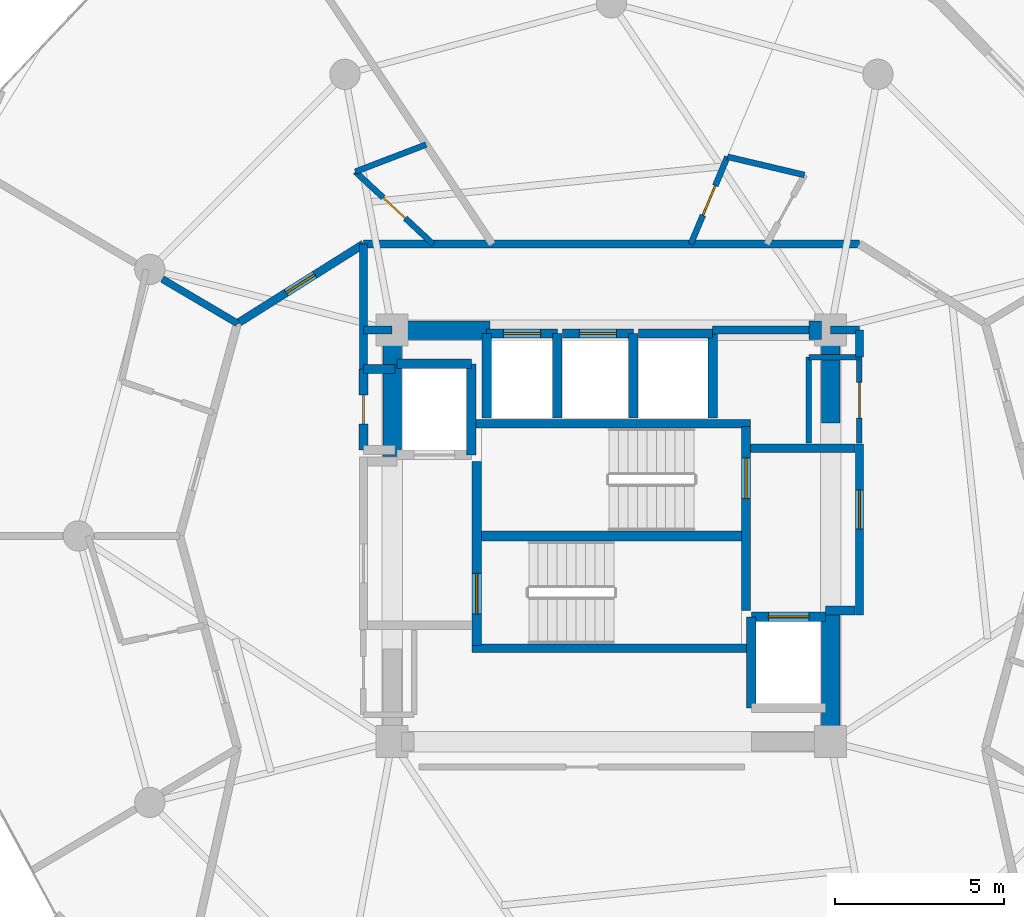
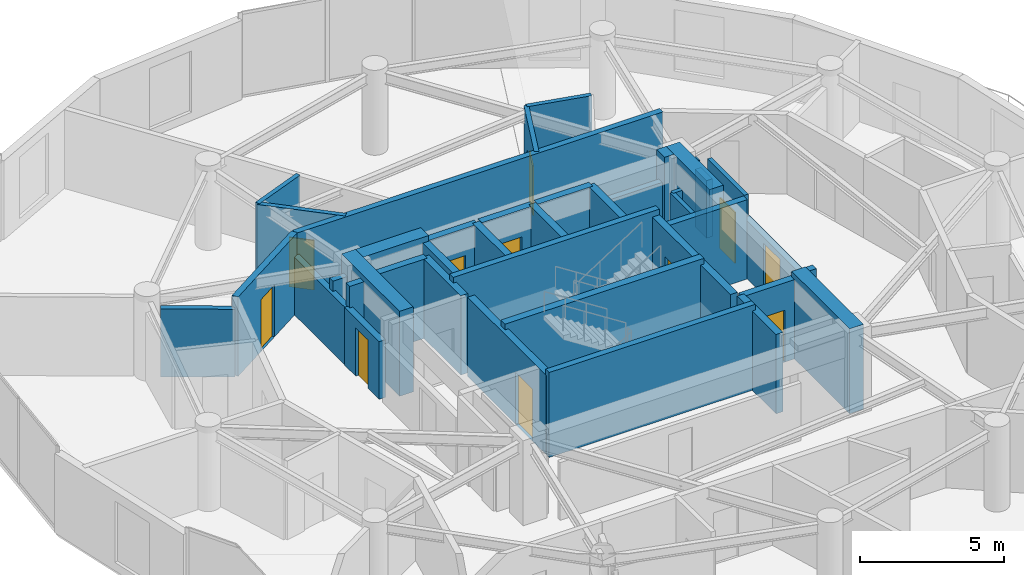
# One storey, part 19 of 23: 41 walls, 11 doors, 11 openings.
"""IFC4 building model written with IfcOpenShell, lengths in metres."""

from ifc_helpers import new_model, si_unit, direction, frame, frame_2d, origin, place, context, subcontext, project, spatial, rectangle, extrude, material, layer, layer_set, type_object, element, fill, save


model = new_model("IFC4")

# Units and contexts
model_context = context("Model", 3, precision=1e-05, world=origin(), true_north=direction((0.0, 1.0)))
body_context = subcontext(model_context, "Body", "Model", "MODEL_VIEW")
ifc_project = project(units=[si_unit("LENGTHUNIT", "METRE"), si_unit("AREAUNIT", "SQUARE_METRE"), si_unit("VOLUMEUNIT", "CUBIC_METRE"), si_unit("PLANEANGLEUNIT", "RADIAN"), si_unit("MASSUNIT", "GRAM", prefix="KILO")], contexts=[model_context])

# Site, building, storey
site_placement = place(None, origin())
site = spatial("IfcSite", under=ifc_project, at=site_placement, CompositionType="ELEMENT")
building_placement = place(site_placement, origin())
building = spatial("IfcBuilding", under=site, at=building_placement, Name="Solvirekh Grand Hotel", CompositionType="ELEMENT")
storey_placement = place(building_placement, frame((0.0, 0.0, 176.800048828125)))
storey = spatial("IfcBuildingStorey", under=building, at=storey_placement, Name="L45", CompositionType="ELEMENT", Elevation=176.800048828125)

# Walls
ifc_material_1 = material(Name="Concrete C50/60", Category="concrete")
ifc_layer_1 = layer(ifc_material_1, 0.35009765625)
ifc_layer_set_1 = layer_set([ifc_layer_1], Name="Concrete C50/60")
wall_type_1 = type_object("IfcWallType", Name="CoreDivWall_RC350", PredefinedType="SOLIDWALL", material=ifc_layer_set_1)
for number, where, z_axis, x_axis, name in (
    (1, (-4.1298828125, -3.324951171875, 0.0), (0.0, 0.0, 1.0), (1.0, 0.0, 0.0), "L45 core stair box wall ST-S"),
    (2, (-4.1298828125, 3.324951171875, 0.0), (0.0, 0.0, 1.0), (1.0, 0.0, 0.0), "L45 core stair box wall ST-N"),
):
    element("IfcWall", number, at=place(storey_placement, frame(where, z_axis=z_axis, x_axis=x_axis)), inside=storey, type_object=wall_type_1, Name=name, PredefinedType="SOLIDWALL", context=body_context, shape_type="SweptSolid", body=[
        extrude(rectangle(XDim=8.259765625, YDim=0.25, at=frame_2d((4.1298828125, 0.0))), origin(), (0.0, 0.0, 1.0), 3.599853515625),
    ])

# Wall, opening, door
ifc_material_2 = material(Name="Concrete C40/50", Category="concrete")
ifc_layer_2 = layer(ifc_material_2, 0.280029296875)
ifc_layer_set_2 = layer_set([ifc_layer_2], Name="Concrete C40/50")
wall_type_2 = type_object("IfcWallType", Name="CoreShaftWall_RC280", PredefinedType="SOLIDWALL", material=ifc_layer_set_2)
wall_1_placement = place(storey_placement, frame((-1.60009765625, 6.0, 0.0), z_axis=(0.0, 0.0, 1.0), x_axis=(-1.0, 0.0, 0.0)))
wall_1 = element("IfcWall", 3, at=wall_1_placement, inside=storey, type_object=wall_type_2, Name="L45 HP-1 hoistway N wall", PredefinedType="SOLIDWALL", context=body_context, shape_type="SweptSolid", body=[
    extrude(rectangle(XDim=2.099853515625, YDim=0.280029296875, at=frame_2d((1.0498046875, 0.0))), origin(), (0.0, 0.0, 1.0), 3.35986328125),
])
opening_1_placement = place(wall_1_placement, frame((0.5, 0.0, 0.0)))
opening_1 = element("IfcOpeningElement", 4, at=opening_1_placement, cuts=wall_1, Name="Opening LD01", PredefinedType="OPENING", context=body_context, shape_type="SweptSolid", body=[
    extrude(rectangle(XDim=1.10009765625, YDim=2.199951171875, at=frame_2d((0.550048828125, 1.10009765625))), frame((0.0, 0.14990234375, 0.0), z_axis=(0.0, -1.0, 0.0), x_axis=(1.0, 0.0, 0.0)), (0.0, 0.0, 1.0), 0.300048828125),
])
ifc_material_3 = material(Name="Fire-Rated Steel Door Assembly", Category="steel")
door_type_1 = type_object("IfcDoorType", Name="Door_LiftLanding_1100X2200", OperationType="SLIDING_TO_LEFT", PredefinedType="DOOR", material=ifc_material_3)
door_1_placement = place(opening_1_placement, origin())
door_1 = element("IfcDoor", 5, at=door_1_placement, inside=storey, type_object=door_type_1, Name="L45 HP-1 sliding lift landing door", OperationType="SLIDING_TO_LEFT", OverallHeight=2.199951171875, OverallWidth=1.10009765625, PredefinedType="DOOR", context=body_context, shape_type="SweptSolid", body=[
    extrude(rectangle(XDim=1.10009765625, YDim=2.199951171875, at=frame_2d((0.550048828125, 1.10009765625))), frame((0.0, 0.02490234375, 0.0), z_axis=(0.0, -1.0, 0.0), x_axis=(1.0, 0.0, 0.0)), (0.0, 0.0, 1.0), 0.050048828125),
])
fill(opening_1, door_1)

# Walls
for number, where, z_axis, x_axis, name in (
    (6, (-3.699951171875, 6.0, 0.0), (0.0, 0.0, 1.0), (0.0, -1.0, 0.0), "L45 HP-1 hoistway W wall"),
    (7, (-1.60009765625, 3.5, 0.0), (0.0, 0.0, 1.0), (0.0, 1.0, 0.0), "L45 HP-1 hoistway E wall"),
):
    element("IfcWall", number, at=place(storey_placement, frame(where, z_axis=z_axis, x_axis=x_axis)), inside=storey, type_object=wall_type_2, Name=name, PredefinedType="SOLIDWALL", context=body_context, shape_type="SweptSolid", body=[
        extrude(rectangle(XDim=2.5, YDim=0.280029296875, at=frame_2d((1.25, 0.0))), origin(), (0.0, 0.0, 1.0), 3.35986328125),
    ])

# Wall, opening, door
wall_2_placement = place(storey_placement, frame((0.64990234375, 6.0, 0.0), z_axis=(0.0, 0.0, 1.0), x_axis=(-1.0, 0.0, 0.0)))
wall_2 = element("IfcWall", 8, at=wall_2_placement, inside=storey, type_object=wall_type_2, Name="L45 HP-2 hoistway N wall", PredefinedType="SOLIDWALL", context=body_context, shape_type="SweptSolid", body=[
    extrude(rectangle(XDim=2.099853515625, YDim=0.280029296875, at=frame_2d((1.0498046875, 0.0))), origin(), (0.0, 0.0, 1.0), 3.35986328125),
])
opening_2_placement = place(wall_2_placement, frame((0.5, 0.0, 0.0)))
opening_2 = element("IfcOpeningElement", 9, at=opening_2_placement, cuts=wall_2, Name="Opening LD01", PredefinedType="OPENING", context=body_context, shape_type="SweptSolid", body=[
    extrude(rectangle(XDim=1.10009765625, YDim=2.199951171875, at=frame_2d((0.550048828125, 1.10009765625))), frame((0.0, 0.14990234375, 0.0), z_axis=(0.0, -1.0, 0.0), x_axis=(1.0, 0.0, 0.0)), (0.0, 0.0, 1.0), 0.300048828125),
])
door_2_placement = place(opening_2_placement, origin())
door_2 = element("IfcDoor", 10, at=door_2_placement, inside=storey, type_object=door_type_1, Name="L45 HP-2 sliding lift landing door", OperationType="SLIDING_TO_LEFT", OverallHeight=2.199951171875, OverallWidth=1.10009765625, PredefinedType="DOOR", context=body_context, shape_type="SweptSolid", body=[
    extrude(rectangle(XDim=1.10009765625, YDim=2.199951171875, at=frame_2d((0.550048828125, 1.10009765625))), frame((0.0, 0.02490234375, 0.0), z_axis=(0.0, -1.0, 0.0), x_axis=(1.0, 0.0, 0.0)), (0.0, 0.0, 1.0), 0.050048828125),
])
fill(opening_2, door_2)

# Walls
wall_3_placement = place(storey_placement, frame((0.64990234375, 3.5, 0.0), z_axis=(0.0, 0.0, 1.0), x_axis=(0.0, 1.0, 0.0)))
element("IfcWall", 11, at=wall_3_placement, inside=storey, type_object=wall_type_2, Name="L45 HP-2 hoistway E wall", PredefinedType="SOLIDWALL", context=body_context, shape_type="SweptSolid", body=[
    extrude(rectangle(XDim=2.5, YDim=0.280029296875, at=frame_2d((1.25, 0.0))), origin(), (0.0, 0.0, 1.0), 3.35986328125),
])
wall_4_placement = place(storey_placement, frame((3.0, 6.0, 0.0), z_axis=(0.0, 0.0, 1.0), x_axis=(-1.0, 0.0, 0.0)))
element("IfcWall", 12, at=wall_4_placement, inside=storey, type_object=wall_type_2, Name="L45 EX-1 hoistway N wall", PredefinedType="SOLIDWALL", context=body_context, shape_type="SweptSolid", body=[
    extrude(rectangle(XDim=2.199951171875, YDim=0.280029296875, at=frame_2d((1.10009765625, 0.0))), origin(), (0.0, 0.0, 1.0), 3.35986328125),
])
wall_5_placement = place(storey_placement, frame((3.0, 3.5, 0.0), z_axis=(0.0, 0.0, 1.0), x_axis=(0.0, 1.0, 0.0)))
element("IfcWall", 13, at=wall_5_placement, inside=storey, type_object=wall_type_2, Name="L45 EX-1 hoistway E wall", PredefinedType="SOLIDWALL", context=body_context, shape_type="SweptSolid", body=[
    extrude(rectangle(XDim=2.5, YDim=0.280029296875, at=frame_2d((1.25, 0.0))), origin(), (0.0, 0.0, 1.0), 3.35986328125),
])
wall_6_placement = place(storey_placement, frame((-4.14990234375, 5.10009765625, 0.0), z_axis=(0.0, 0.0, 1.0), x_axis=(-1.0, 0.0, 0.0)))
element("IfcWall", 14, at=wall_6_placement, inside=storey, type_object=wall_type_2, Name="L45 FL-1 hoistway N wall", PredefinedType="SOLIDWALL", context=body_context, shape_type="SweptSolid", body=[
    extrude(rectangle(XDim=2.2001953125, YDim=0.280029296875, at=frame_2d((1.10009765625, 0.0))), origin(), (0.0, 0.0, 1.0), 3.35986328125),
])
wall_7_placement = place(storey_placement, frame((-4.14990234375, 2.39990234375, 0.0), z_axis=(0.0, 0.0, 1.0), x_axis=(0.0, 1.0, 0.0)))
element("IfcWall", 15, at=wall_7_placement, inside=storey, type_object=wall_type_2, Name="L45 FL-1 hoistway E wall", PredefinedType="SOLIDWALL", context=body_context, shape_type="SweptSolid", body=[
    extrude(rectangle(XDim=2.7001953125, YDim=0.280029296875, at=frame_2d((1.35009765625, 0.0))), origin(), (0.0, 0.0, 1.0), 3.35986328125),
])

# Wall, opening, door
wall_8_placement = place(storey_placement, frame((6.35009765625, -2.39990234375, 0.0), z_axis=(0.0, 0.0, 1.0), x_axis=(-1.0, 0.0, 0.0)))
wall_8 = element("IfcWall", 16, at=wall_8_placement, inside=storey, type_object=wall_type_2, Name="L45 FL-2 hoistway N wall", PredefinedType="SOLIDWALL", context=body_context, shape_type="SweptSolid", body=[
    extrude(rectangle(XDim=2.2001953125, YDim=0.280029296875, at=frame_2d((1.10009765625, 0.0))), origin(), (0.0, 0.0, 1.0), 3.35986328125),
])
opening_3_placement = place(wall_8_placement, frame((0.5, 0.0, 0.0)))
opening_3 = element("IfcOpeningElement", 17, at=opening_3_placement, cuts=wall_8, Name="Opening LD02", PredefinedType="OPENING", context=body_context, shape_type="SweptSolid", body=[
    extrude(rectangle(XDim=1.199951171875, YDim=2.199951171875, at=frame_2d((0.60009765625, 1.10009765625))), frame((0.0, 0.14990234375, 0.0), z_axis=(0.0, -1.0, 0.0), x_axis=(1.0, 0.0, 0.0)), (0.0, 0.0, 1.0), 0.300048828125),
])
door_type_2 = type_object("IfcDoorType", Name="Door_LiftFF_1200X2200", OperationType="SLIDING_TO_LEFT", PredefinedType="DOOR", material=ifc_material_3)
door_3_placement = place(opening_3_placement, origin())
door_3 = element("IfcDoor", 18, at=door_3_placement, inside=storey, type_object=door_type_2, Name="L45 FL-2 sliding lift landing door", OperationType="SLIDING_TO_LEFT", OverallHeight=2.199951171875, OverallWidth=1.199951171875, PredefinedType="DOOR", context=body_context, shape_type="SweptSolid", body=[
    extrude(rectangle(XDim=1.199951171875, YDim=2.199951171875, at=frame_2d((0.60009765625, 1.10009765625))), frame((0.0, 0.02490234375, 0.0), z_axis=(0.0, -1.0, 0.0), x_axis=(1.0, 0.0, 0.0)), (0.0, 0.0, 1.0), 0.050048828125),
])
fill(opening_3, door_3)

# Wall
wall_9_placement = place(storey_placement, frame((4.14990234375, -2.39990234375, 0.0), z_axis=(0.0, 0.0, 1.0), x_axis=(0.0, -1.0, 0.0)))
element("IfcWall", 19, at=wall_9_placement, inside=storey, type_object=wall_type_2, Name="L45 FL-2 hoistway W wall", PredefinedType="SOLIDWALL", context=body_context, shape_type="SweptSolid", body=[
    extrude(rectangle(XDim=2.7001953125, YDim=0.280029296875, at=frame_2d((1.35009765625, 0.0))), origin(), (0.0, 0.0, 1.0), 3.35986328125),
])

# Wall, opening, door
wall_10_placement = place(storey_placement, frame((-3.989990234375, -3.25, 0.0), z_axis=(0.0, 0.0, 1.0), x_axis=(0.0, 1.0, 0.0)))
wall_10 = element("IfcWall", 20, at=wall_10_placement, inside=storey, type_object=wall_type_2, Name="L45 west stair landing enclosure wall", PredefinedType="SOLIDWALL", context=body_context, shape_type="SweptSolid", body=[
    extrude(rectangle(XDim=5.4599609375, YDim=0.280029296875, at=frame_2d((2.72998046875, 0.0))), origin(), (0.0, 0.0, 1.0), 3.35986328125),
])
opening_4_placement = place(wall_10_placement, frame((0.93701171875, 0.0, 0.0)))
opening_4 = element("IfcOpeningElement", 21, at=opening_4_placement, cuts=wall_10, Name="Opening D05", PredefinedType="OPENING", context=body_context, shape_type="SweptSolid", body=[
    extrude(rectangle(XDim=1.199951171875, YDim=2.199951171875, at=frame_2d((0.60009765625, 1.10009765625))), frame((0.0, 0.14990234375, 0.0), z_axis=(0.0, -1.0, 0.0), x_axis=(1.0, 0.0, 0.0)), (0.0, 0.0, 1.0), 0.300048828125),
])
door_type_3 = type_object("IfcDoorType", Name="Door_StairCore_1200X2200", OperationType="NOTDEFINED", PredefinedType="DOOR", material=ifc_material_3)
door_4_placement = place(opening_4_placement, origin())
door_4 = element("IfcDoor", 22, at=door_4_placement, inside=storey, type_object=door_type_3, Name="L45 exit stair ST-1 fire door", OperationType="SINGLE_SWING_RIGHT", OverallHeight=2.199951171875, OverallWidth=1.199951171875, PredefinedType="DOOR", context=body_context, shape_type="SweptSolid", body=[
    extrude(rectangle(XDim=1.199951171875, YDim=2.199951171875, at=frame_2d((0.60009765625, 1.10009765625))), frame((0.0, 0.02490234375, 0.0), z_axis=(0.0, -1.0, 0.0), x_axis=(1.0, 0.0, 0.0)), (0.0, 0.0, 1.0), 0.050048828125),
])
fill(opening_4, door_4)

wall_11_placement = place(storey_placement, frame((3.989990234375, -2.2099609375, 0.0), z_axis=(0.0, 0.0, 1.0), x_axis=(0.0, 1.0, 0.0)))
wall_11 = element("IfcWall", 23, at=wall_11_placement, inside=storey, type_object=wall_type_2, Name="L45 east stair landing enclosure wall", PredefinedType="SOLIDWALL", context=body_context, shape_type="SweptSolid", body=[
    extrude(rectangle(XDim=5.4599609375, YDim=0.280029296875, at=frame_2d((2.72998046875, 0.0))), origin(), (0.0, 0.0, 1.0), 3.35986328125),
])
opening_5_placement = place(wall_11_placement, frame((3.322998046875, 0.0, 0.0)))
opening_5 = element("IfcOpeningElement", 24, at=opening_5_placement, cuts=wall_11, Name="Opening D05", PredefinedType="OPENING", context=body_context, shape_type="SweptSolid", body=[
    extrude(rectangle(XDim=1.199951171875, YDim=2.199951171875, at=frame_2d((0.60009765625, 1.10009765625))), frame((0.0, 0.14990234375, 0.0), z_axis=(0.0, -1.0, 0.0), x_axis=(1.0, 0.0, 0.0)), (0.0, 0.0, 1.0), 0.300048828125),
])
door_5_placement = place(opening_5_placement, origin())
door_5 = element("IfcDoor", 25, at=door_5_placement, inside=storey, type_object=door_type_3, Name="L45 exit stair ST-2 fire door", OperationType="SINGLE_SWING_LEFT", OverallHeight=2.199951171875, OverallWidth=1.199951171875, PredefinedType="DOOR", context=body_context, shape_type="SweptSolid", body=[
    extrude(rectangle(XDim=1.199951171875, YDim=2.199951171875, at=frame_2d((0.60009765625, 1.10009765625))), frame((0.0, 0.02490234375, 0.0), z_axis=(0.0, -1.0, 0.0), x_axis=(1.0, 0.0, 0.0)), (0.0, 0.0, 1.0), 0.050048828125),
])
fill(opening_5, door_5)

# Walls
ifc_layer_3 = layer(ifc_material_1, 0.550048828125)
ifc_layer_set_3 = layer_set([ifc_layer_3], Name="Concrete C50/60")
wall_type_3 = type_object("IfcWallType", Name="CoreWall_RC550", PredefinedType="SHEAR", material=ifc_layer_set_3)
wall_12_placement = place(storey_placement, frame((-3.989990234375, 0.0, 0.0), z_axis=(0.0, 0.0, 1.0), x_axis=(1.0, 0.0, 0.0)))
element("IfcWall", 26, at=wall_12_placement, inside=storey, type_object=wall_type_3, Name="L45 central stair-spine shear wall", PredefinedType="SHEAR", context=body_context, shape_type="SweptSolid", body=[
    extrude(rectangle(XDim=7.97998046875, YDim=0.300048828125, at=frame_2d((3.989990234375, 0.0))), origin(), (0.0, 0.0, 1.0), 3.599853515625),
])
wall_13_placement = place(storey_placement, frame((-6.22509765625, 6.10009765625, 0.0), z_axis=(0.0, 0.0, 1.0), x_axis=(1.0, 0.0, 0.0)))
element("IfcWall", 27, at=wall_13_placement, inside=storey, type_object=wall_type_3, Name="L45 core corner shear wall NW-N", PredefinedType="SHEAR", context=body_context, shape_type="SweptSolid", body=[
    extrude(rectangle(XDim=2.625, YDim=0.550048828125, at=frame_2d((1.3125, 0.0))), origin(), (0.0, 0.0, 1.0), 3.599853515625),
])
wall_14_placement = place(storey_placement, frame((5.85009765625, 6.10009765625, 0.0), z_axis=(0.0, 0.0, 1.0), x_axis=(1.0, 0.0, 0.0)))
element("IfcWall", 28, at=wall_14_placement, inside=storey, type_object=wall_type_3, Name="L45 core corner shear wall NE-N", PredefinedType="SHEAR", context=body_context, shape_type="SweptSolid", body=[
    extrude(rectangle(XDim=0.375, YDim=0.550048828125, at=frame_2d((0.1875, 0.0))), origin(), (0.0, 0.0, 1.0), 3.599853515625),
])
for number, where, z_axis, x_axis, name in (
    (29, (-6.5, 2.35009765625, 0.0), (0.0, 0.0, 1.0), (0.0, 1.0, 0.0), "L45 core corner shear wall WN-W"),
    (30, (6.5, -6.375, 0.0), (0.0, 0.0, 1.0), (0.0, 1.0, 0.0), "L45 core corner shear wall ES-E"),
):
    element("IfcWall", number, at=place(storey_placement, frame(where, z_axis=z_axis, x_axis=x_axis)), inside=storey, type_object=wall_type_3, Name=name, PredefinedType="SHEAR", context=body_context, shape_type="SweptSolid", body=[
        extrude(rectangle(XDim=4.02490234375, YDim=0.550048828125, at=frame_2d((2.012451171875, 0.0))), origin(), (0.0, 0.0, 1.0), 3.599853515625),
    ])
wall_15_placement = place(storey_placement, frame((6.5, 3.35009765625, 0.0), z_axis=(0.0, 0.0, 1.0), x_axis=(0.0, 1.0, 0.0)))
element("IfcWall", 31, at=wall_15_placement, inside=storey, type_object=wall_type_3, Name="L45 core corner shear wall EN-E", PredefinedType="SHEAR", context=body_context, shape_type="SweptSolid", body=[
    extrude(rectangle(XDim=3.02490234375, YDim=0.550048828125, at=frame_2d((1.512451171875, 0.0))), origin(), (0.0, 0.0, 1.0), 3.599853515625),
])

# Wall, opening, door
ifc_material_4 = material(Name="Acoustic Gypsum Partition Assembly")
ifc_layer_4 = layer(ifc_material_4, 0.1650390625)
ifc_layer_set_4 = layer_set([ifc_layer_4], Name="Acoustic Gypsum Partition Assembly")
wall_type_4 = type_object("IfcWallType", Name="Part_BOH_165", PredefinedType="PARTITIONING", material=ifc_layer_set_4)
wall_16_placement = place(storey_placement, frame((7.35009765625, 2.75, 0.0), z_axis=(0.0, 0.0, 1.0), x_axis=(0.0, 1.0, 0.0)))
wall_16 = element("IfcWall", 32, at=wall_16_placement, inside=storey, type_object=wall_type_4, Name="L45 L45 Telecom Distribution Room wall 2", PredefinedType="PARTITIONING", context=body_context, shape_type="SweptSolid", body=[
    extrude(rectangle(XDim=2.550048828125, YDim=0.1650390625, at=frame_2d((1.27490234375, 0.0))), origin(), (0.0, 0.0, 1.0), 3.35986328125),
])
opening_6_placement = place(wall_16_placement, frame((0.75, 0.0, 0.0)))
opening_6 = element("IfcOpeningElement", 33, at=opening_6_placement, cuts=wall_16, Name="Opening D12", PredefinedType="OPENING", context=body_context, shape_type="SweptSolid", body=[
    extrude(rectangle(XDim=1.050048828125, YDim=2.14990234375, at=frame_2d((0.52490234375, 1.074951171875))), frame((0.0, 0.092529296875, 0.0), z_axis=(0.0, -1.0, 0.0), x_axis=(1.0, 0.0, 0.0)), (0.0, 0.0, 1.0), 0.18505859375),
])
door_type_4 = type_object("IfcDoorType", Name="Door_PlantBOH_1050X2150", OperationType="NOTDEFINED", PredefinedType="DOOR", material=ifc_material_3)
door_6_placement = place(opening_6_placement, origin())
door_6 = element("IfcDoor", 34, at=door_6_placement, inside=storey, type_object=door_type_4, Name="L45 L45 Telecom Distribution Room door", OperationType="SINGLE_SWING_RIGHT", OverallHeight=2.14990234375, OverallWidth=1.050048828125, PredefinedType="DOOR", context=body_context, shape_type="SweptSolid", body=[
    extrude(rectangle(XDim=1.050048828125, YDim=2.14990234375, at=frame_2d((0.52490234375, 1.074951171875))), frame((0.0, 0.02490234375, 0.0), z_axis=(0.0, -1.0, 0.0), x_axis=(1.0, 0.0, 0.0)), (0.0, 0.0, 1.0), 0.050048828125),
])
fill(opening_6, door_6)

# Walls
wall_17_placement = place(storey_placement, frame((7.35009765625, 5.300048828125, 0.0), z_axis=(0.0, 0.0, 1.0), x_axis=(-1.0, 0.0, 0.0)))
element("IfcWall", 35, at=wall_17_placement, inside=storey, type_object=wall_type_4, Name="L45 L45 Telecom Distribution Room wall 3", PredefinedType="PARTITIONING", context=body_context, shape_type="SweptSolid", body=[
    extrude(rectangle(XDim=1.5, YDim=0.1650390625, at=frame_2d((0.75, 0.0))), origin(), (0.0, 0.0, 1.0), 2.445068359375),
])
wall_18_placement = place(storey_placement, frame((5.85009765625, 5.300048828125, 0.0), z_axis=(0.0, 0.0, 1.0), x_axis=(0.0, -1.0, 0.0)))
element("IfcWall", 36, at=wall_18_placement, inside=storey, type_object=wall_type_4, Name="L45 L45 Telecom Distribution Room wall 4", PredefinedType="PARTITIONING", context=body_context, shape_type="SweptSolid", body=[
    extrude(rectangle(XDim=2.550048828125, YDim=0.1650390625, at=frame_2d((1.27490234375, 0.0))), origin(), (0.0, 0.0, 1.0), 2.445068359375),
])

# Wall, opening, door
ifc_layer_5 = layer(ifc_material_4, 0.239990234375)
ifc_layer_set_5 = layer_set([ifc_layer_5], Name="Acoustic Gypsum Partition Assembly")
wall_type_5 = type_object("IfcWallType", Name="Part_Corridor_240", PredefinedType="PARTITIONING", material=ifc_layer_set_5)
wall_19_placement = place(storey_placement, frame((7.35009765625, -2.340087890625, 0.0), z_axis=(0.0, 0.0, 1.0), x_axis=(0.0, 1.0, 0.0)))
wall_19 = element("IfcWall", 37, at=wall_19_placement, inside=storey, type_object=wall_type_5, Name="L45 east firefighting lobby smoke screen wall", PredefinedType="PARTITIONING", context=body_context, shape_type="SweptSolid", body=[
    extrude(rectangle(XDim=5.070068359375, YDim=0.239990234375, at=frame_2d((2.53515625, 0.0))), origin(), (0.0, 0.0, 1.0), 2.445068359375),
])
opening_7_placement = place(wall_19_placement, frame((2.548095703125, 0.0, 0.0)))
opening_7 = element("IfcOpeningElement", 38, at=opening_7_placement, cuts=wall_19, Name="Opening D06", PredefinedType="OPENING", context=body_context, shape_type="SweptSolid", body=[
    extrude(rectangle(XDim=1.14990234375, YDim=2.199951171875, at=frame_2d((0.574951171875, 1.10009765625))), frame((0.0, 0.1298828125, 0.0), z_axis=(0.0, -1.0, 0.0), x_axis=(1.0, 0.0, 0.0)), (0.0, 0.0, 1.0), 0.260009765625),
])
door_type_5 = type_object("IfcDoorType", Name="Door_FFLobby_1150X2200", OperationType="NOTDEFINED", PredefinedType="DOOR", material=ifc_material_3)
door_7_placement = place(opening_7_placement, origin())
door_7 = element("IfcDoor", 39, at=door_7_placement, inside=storey, type_object=door_type_5, Name="L45 east firefighting lobby smoke door", OperationType="SINGLE_SWING_LEFT", OverallHeight=2.199951171875, OverallWidth=1.14990234375, PredefinedType="DOOR", context=body_context, shape_type="SweptSolid", body=[
    extrude(rectangle(XDim=1.14990234375, YDim=2.199951171875, at=frame_2d((0.574951171875, 1.10009765625))), frame((0.0, 0.02490234375, 0.0), z_axis=(0.0, -1.0, 0.0), x_axis=(1.0, 0.0, 0.0)), (0.0, 0.0, 1.0), 0.050048828125),
])
fill(opening_7, door_7)

# Walls
wall_20_placement = place(storey_placement, frame((-7.35009765625, 8.64990234375, 0.0), z_axis=(0.0, 0.0, 1.0), x_axis=(1.0, 0.0, 0.0)))
element("IfcWall", 40, at=wall_20_placement, inside=storey, type_object=wall_type_5, Name="L45 north lift lobby enclosure wall", PredefinedType="PARTITIONING", context=body_context, shape_type="SweptSolid", body=[
    extrude(rectangle(XDim=14.7001953125, YDim=0.239990234375, at=frame_2d((7.35009765625, 0.0))), origin(), (0.0, 0.0, 1.0), 3.35986328125),
])
wall_21_placement = place(storey_placement, frame((3.0, 6.10009765625, 0.0), z_axis=(0.0, 0.0, 1.0), x_axis=(1.0, 0.0, 0.0)))
element("IfcWall", 41, at=wall_21_placement, inside=storey, type_object=wall_type_5, Name="L45 north core shaft infill wall", PredefinedType="PARTITIONING", context=body_context, shape_type="SweptSolid", body=[
    extrude(rectangle(XDim=2.85009765625, YDim=0.239990234375, at=frame_2d((1.425048828125, 0.0))), origin(), (0.0, 0.0, 1.0), 2.445068359375),
])
wall_22_placement = place(storey_placement, frame((7.35009765625, 5.300048828125, 0.0), z_axis=(0.0, 0.0, 1.0), x_axis=(0.0, 1.0, 0.0)))
element("IfcWall", 42, at=wall_22_placement, inside=storey, type_object=wall_type_5, Name="L45 NE core cheek closure wall", PredefinedType="PARTITIONING", context=body_context, shape_type="SweptSolid", body=[
    extrude(rectangle(XDim=0.800048828125, YDim=0.239990234375, at=frame_2d((0.39990234375, 0.0))), origin(), (0.0, 0.0, 1.0), 2.445068359375),
])
wall_23_placement = place(storey_placement, frame((6.5, 6.10009765625, 0.0), z_axis=(0.0, 0.0, 1.0), x_axis=(1.0, 0.0, 0.0)))
element("IfcWall", 43, at=wall_23_placement, inside=storey, type_object=wall_type_5, Name="L45 NE core corner tie wall", PredefinedType="PARTITIONING", context=body_context, shape_type="SweptSolid", body=[
    extrude(rectangle(XDim=0.85009765625, YDim=0.239990234375, at=frame_2d((0.425048828125, 0.0))), origin(), (0.0, 0.0, 1.0), 2.8759765625),
])
wall_24_placement = place(storey_placement, frame((-7.35009765625, 4.949951171875, 0.0), z_axis=(0.0, 0.0, 1.0), x_axis=(0.0, 1.0, 0.0)))
element("IfcWall", 44, at=wall_24_placement, inside=storey, type_object=wall_type_5, Name="L45 north lift lobby west wall", PredefinedType="PARTITIONING", context=body_context, shape_type="SweptSolid", body=[
    extrude(rectangle(XDim=3.699951171875, YDim=0.239990234375, at=frame_2d((1.85009765625, 0.0))), origin(), (0.0, 0.0, 1.0), 2.445068359375),
])
wall_25_placement = place(storey_placement, frame((-7.35009765625, 6.10009765625, 0.0), z_axis=(0.0, 0.0, 1.0), x_axis=(1.0, 0.0, 0.0)))
element("IfcWall", 45, at=wall_25_placement, inside=storey, type_object=wall_type_5, Name="L45 NW core corner closure wall", PredefinedType="PARTITIONING", context=body_context, shape_type="SweptSolid", body=[
    extrude(rectangle(XDim=0.85009765625, YDim=0.239990234375, at=frame_2d((0.425048828125, 0.0))), origin(), (0.0, 0.0, 1.0), 2.8759765625),
])

# Wall, opening, door
wall_26_placement = place(storey_placement, frame((-11.0849609375, 6.300048828125, 0.0), z_axis=(0.0, 0.0, 1.0), x_axis=(0.846409267484, 0.532532958526, 0.0)))
wall_26 = element("IfcWall", 46, at=wall_26_placement, inside=storey, type_object=wall_type_5, Name="L45 Deluxe Guestroom 4702 entrance wall", PredefinedType="PARTITIONING", context=body_context, shape_type="SweptSolid", body=[
    extrude(rectangle(XDim=4.41259765625, YDim=0.239990234375, at=frame_2d((2.206298828125, 0.0))), origin(), (0.0, 0.0, 1.0), 3.35986328125),
])
opening_8_placement = place(wall_26_placement, frame((1.7060546875, 0.0, 0.0)))
opening_8 = element("IfcOpeningElement", 47, at=opening_8_placement, cuts=wall_26, Name="Opening D07", PredefinedType="OPENING", context=body_context, shape_type="SweptSolid", body=[
    extrude(rectangle(XDim=1.0, YDim=2.199951171875, at=frame_2d((0.5, 1.10009765625))), frame((0.0, 0.1298828125, 0.0), z_axis=(0.0, -1.0, 0.0), x_axis=(1.0, 0.0, 0.0)), (0.0, 0.0, 1.0), 0.260009765625),
])
door_type_6 = type_object("IfcDoorType", Name="Door_GuestEntry_1000X2200", OperationType="NOTDEFINED", PredefinedType="DOOR", material=ifc_material_3)
door_8_placement = place(opening_8_placement, origin())
door_8 = element("IfcDoor", 48, at=door_8_placement, inside=storey, type_object=door_type_6, Name="L45 Deluxe Guestroom 4702 entrance door", OperationType="SINGLE_SWING_RIGHT", OverallHeight=2.199951171875, OverallWidth=1.0, PredefinedType="DOOR", context=body_context, shape_type="SweptSolid", body=[
    extrude(rectangle(XDim=1.0, YDim=2.199951171875, at=frame_2d((0.5, 1.10009765625))), frame((0.0, 0.02490234375, 0.0), z_axis=(0.0, -1.0, 0.0), x_axis=(1.0, 0.0, 0.0)), (0.0, 0.0, 1.0), 0.050048828125),
])
fill(opening_8, door_8)

# Walls
ifc_layer_6 = layer(ifc_material_4, 0.260009765625)
ifc_layer_set_6 = layer_set([ifc_layer_6], Name="Acoustic Gypsum Partition Assembly")
wall_type_6 = type_object("IfcWallType", Name="Part_LobbyFF_260", PredefinedType="PARTITIONING", material=ifc_layer_set_6)
wall_27_placement = place(storey_placement, frame((6.35009765625, -2.2099609375, 0.0), z_axis=(0.0, 0.0, 1.0), x_axis=(1.0, 0.0, 0.0)))
element("IfcWall", 49, at=wall_27_placement, inside=storey, type_object=wall_type_6, Name="L45 east firefighting lobby SE cheek", PredefinedType="PARTITIONING", context=body_context, shape_type="SweptSolid", body=[
    extrude(rectangle(XDim=0.875, YDim=0.260009765625, at=frame_2d((0.4375, 0.0))), origin(), (0.0, 0.0, 1.0), 3.35986328125),
])
wall_28_placement = place(storey_placement, frame((4.1298828125, 2.60009765625, 0.0), z_axis=(0.0, 0.0, 1.0), x_axis=(1.0, 0.0, 0.0)))
element("IfcWall", 50, at=wall_28_placement, inside=storey, type_object=wall_type_6, Name="L45 east firefighting lobby north partition", PredefinedType="PARTITIONING", context=body_context, shape_type="SweptSolid", body=[
    extrude(rectangle(XDim=3.09521484375, YDim=0.260009765625, at=frame_2d((1.547607421875, 0.0))), origin(), (0.0, 0.0, 1.0), 3.35986328125),
])
wall_29_placement = place(storey_placement, frame((-7.35009765625, 4.949951171875, 0.0), z_axis=(0.0, 0.0, 1.0), x_axis=(1.0, 0.0, 0.0)))
element("IfcWall", 51, at=wall_29_placement, inside=storey, type_object=wall_type_6, Name="L45 NW telecom metering cupboard north wall", PredefinedType="PARTITIONING", context=body_context, shape_type="SweptSolid", body=[
    extrude(rectangle(XDim=0.93017578125, YDim=0.260009765625, at=frame_2d((0.465087890625, 0.0))), origin(), (0.0, 0.0, 1.0), 3.35986328125),
])

# Wall, opening, door
wall_30_placement = place(storey_placement, frame((-7.35009765625, 2.550048828125, 0.0), z_axis=(0.0, 0.0, 1.0), x_axis=(0.0, 1.0, 0.0)))
wall_30 = element("IfcWall", 52, at=wall_30_placement, inside=storey, type_object=wall_type_6, Name="L45 NW telecom metering cupboard access wall", PredefinedType="PARTITIONING", context=body_context, shape_type="SweptSolid", body=[
    extrude(rectangle(XDim=2.39990234375, YDim=0.260009765625, at=frame_2d((1.199951171875, 0.0))), origin(), (0.0, 0.0, 1.0), 2.445068359375),
])
opening_9_placement = place(wall_30_placement, frame((0.77490234375, 0.0, 0.0)))
opening_9 = element("IfcOpeningElement", 53, at=opening_9_placement, cuts=wall_30, Name="Opening D13", PredefinedType="OPENING", context=body_context, shape_type="SweptSolid", body=[
    extrude(rectangle(XDim=0.85009765625, YDim=2.050048828125, at=frame_2d((0.425048828125, 1.02490234375))), frame((0.0, 0.14013671875, 0.0), z_axis=(0.0, -1.0, 0.0), x_axis=(1.0, 0.0, 0.0)), (0.0, 0.0, 1.0), 0.280029296875),
])
door_type_7 = type_object("IfcDoorType", Name="Door_RiserShaft_850X2050", OperationType="NOTDEFINED", PredefinedType="DOOR", material=ifc_material_3)
door_9_placement = place(opening_9_placement, origin())
door_9 = element("IfcDoor", 54, at=door_9_placement, inside=storey, type_object=door_type_7, Name="L45 telecom metering cupboard access door", OperationType="SINGLE_SWING_RIGHT", OverallHeight=2.050048828125, OverallWidth=0.85009765625, PredefinedType="DOOR", context=body_context, shape_type="SweptSolid", body=[
    extrude(rectangle(XDim=0.85009765625, YDim=2.050048828125, at=frame_2d((0.425048828125, 1.02490234375))), frame((0.0, 0.02490234375, 0.0), z_axis=(0.0, -1.0, 0.0), x_axis=(1.0, 0.0, 0.0)), (0.0, 0.0, 1.0), 0.050048828125),
])
fill(opening_9, door_9)

# Walls
ifc_layer_7 = layer(ifc_material_4, 0.2099609375)
ifc_layer_set_7 = layer_set([ifc_layer_7], Name="Acoustic Gypsum Partition Assembly")
wall_type_7 = type_object("IfcWallType", Name="Part_SuiteDemise_210", PredefinedType="PARTITIONING", material=ifc_layer_set_7)
wall_31_placement = place(storey_placement, frame((-11.0849609375, 6.300048828125, 0.0), z_axis=(0.0, 0.0, 1.0), x_axis=(-0.86133622593, 0.508035339225, 0.0)))
element("IfcWall", 55, at=wall_31_placement, inside=storey, type_object=wall_type_7, Name="L45 suite radial wall 6 (A)", PredefinedType="PARTITIONING", context=body_context, shape_type="SweptSolid", body=[
    extrude(rectangle(XDim=2.58447265625, YDim=0.2099609375, at=frame_2d((1.292236328125, 0.0))), origin(), (0.0, 0.0, 1.0), 2.8759765625),
])
ifc_layer_8 = layer(ifc_material_4, 0.175048828125)
ifc_layer_set_8 = layer_set([ifc_layer_8], Name="Acoustic Gypsum Partition Assembly")
wall_type_8 = type_object("IfcWallType", Name="Plumb_Ensuite_175", PredefinedType="PLUMBINGWALL", material=ifc_layer_set_8)
wall_32_placement = place(storey_placement, frame((3.43896484375, 11.239013671875, 0.0), z_axis=(0.0, 0.0, 1.0), x_axis=(0.973143510765, -0.230199277704, 0.0)))
element("IfcWall", 56, at=wall_32_placement, inside=storey, type_object=wall_type_8, Name="L45 En-suite Bathroom 4701 outer plumbing wall", PredefinedType="PLUMBINGWALL", context=body_context, shape_type="SweptSolid", body=[
    extrude(rectangle(XDim=2.345947265625, YDim=0.175048828125, at=frame_2d((1.1728515625, 0.0))), origin(), (0.0, 0.0, 1.0), 3.35986328125),
])

# Wall, opening, door
wall_33_placement = place(storey_placement, frame((3.43896484375, 11.239013671875, 0.0), z_axis=(0.0, 0.0, 1.0), x_axis=(-0.387077273479, -0.922047278807, 0.0)))
wall_33 = element("IfcWall", 57, at=wall_33_placement, inside=storey, type_object=wall_type_8, Name="L45 En-suite Bathroom 4701 side plumbing wall", PredefinedType="PLUMBINGWALL", context=body_context, shape_type="SweptSolid", body=[
    extrude(rectangle(XDim=2.80810546875, YDim=0.175048828125, at=frame_2d((1.404052734375, 0.0))), origin(), (0.0, 0.0, 1.0), 3.35986328125),
])
opening_10_placement = place(wall_33_placement, frame((0.928955078125, 0.0, 0.0)))
opening_10 = element("IfcOpeningElement", 58, at=opening_10_placement, cuts=wall_33, Name="Opening D10", PredefinedType="OPENING", context=body_context, shape_type="SweptSolid", body=[
    extrude(rectangle(XDim=0.949951171875, YDim=2.10009765625, at=frame_2d((0.47509765625, 1.050048828125))), frame((0.0, 0.09765625, 0.0), z_axis=(0.0, -1.0, 0.0), x_axis=(1.0, 0.0, 0.0)), (0.0, 0.0, 1.0), 0.195068359375),
])
ifc_material_5 = material(Name="Anodized Bronze Aluminium 6063-T6", Category="aluminium")
door_type_8 = type_object("IfcDoorType", Name="Door_RoomInt_950X2100", OperationType="NOTDEFINED", PredefinedType="DOOR", material=ifc_material_5)
door_10_placement = place(opening_10_placement, origin())
door_10 = element("IfcDoor", 59, at=door_10_placement, inside=storey, type_object=door_type_8, Name="L45 Panorama Suite 4701 North Observatory Study master bedroom door", OperationType="SINGLE_SWING_RIGHT", OverallHeight=2.10009765625, OverallWidth=0.949951171875, PredefinedType="DOOR", context=body_context, shape_type="SweptSolid", body=[
    extrude(rectangle(XDim=0.949951171875, YDim=2.10009765625, at=frame_2d((0.47509765625, 1.050048828125))), frame((0.0, 0.02490234375, 0.0), z_axis=(0.0, -1.0, 0.0), x_axis=(1.0, 0.0, 0.0)), (0.0, 0.0, 1.0), 0.050048828125),
])
fill(opening_10, door_10)

# Wall
wall_34_placement = place(storey_placement, frame((-7.591064453125, 10.7958984375, 0.0), z_axis=(0.0, 0.0, 1.0), x_axis=(0.933759431782, 0.357901276273, 0.0)))
element("IfcWall", 60, at=wall_34_placement, inside=storey, type_object=wall_type_8, Name="L45 En-suite Bathroom 4702 outer plumbing wall", PredefinedType="PLUMBINGWALL", context=body_context, shape_type="SweptSolid", body=[
    extrude(rectangle(XDim=2.2470703125, YDim=0.175048828125, at=frame_2d((1.12353515625, 0.0))), origin(), (0.0, 0.0, 1.0), 3.35986328125),
])

# Wall, opening, door
wall_35_placement = place(storey_placement, frame((-7.591064453125, 10.7958984375, 0.0), z_axis=(0.0, 0.0, 1.0), x_axis=(0.731925968359, -0.681384162453, 0.0)))
wall_35 = element("IfcWall", 61, at=wall_35_placement, inside=storey, type_object=wall_type_8, Name="L45 En-suite Bathroom 4702 entry plumbing wall", PredefinedType="PLUMBINGWALL", context=body_context, shape_type="SweptSolid", body=[
    extrude(rectangle(XDim=3.1494140625, YDim=0.175048828125, at=frame_2d((1.57470703125, 0.0))), origin(), (0.0, 0.0, 1.0), 3.35986328125),
])
opening_11_placement = place(wall_35_placement, frame((1.125, 0.0, 0.0)))
opening_11 = element("IfcOpeningElement", 62, at=opening_11_placement, cuts=wall_35, Name="Opening D09", PredefinedType="OPENING", context=body_context, shape_type="SweptSolid", body=[
    extrude(rectangle(XDim=0.89990234375, YDim=2.10009765625, at=frame_2d((0.449951171875, 1.050048828125))), frame((0.0, 0.09765625, 0.0), z_axis=(0.0, -1.0, 0.0), x_axis=(1.0, 0.0, 0.0)), (0.0, 0.0, 1.0), 0.195068359375),
])
door_type_9 = type_object("IfcDoorType", Name="Door_Ensuite_900X2100", OperationType="NOTDEFINED", PredefinedType="DOOR", material=ifc_material_5)
door_11_placement = place(opening_11_placement, origin())
door_11 = element("IfcDoor", 63, at=door_11_placement, inside=storey, type_object=door_type_9, Name="L45 En-suite Bathroom 4702 door", OperationType="SINGLE_SWING_LEFT", OverallHeight=2.10009765625, OverallWidth=0.89990234375, PredefinedType="DOOR", context=body_context, shape_type="SweptSolid", body=[
    extrude(rectangle(XDim=0.89990234375, YDim=2.10009765625, at=frame_2d((0.449951171875, 1.050048828125))), frame((0.0, 0.02490234375, 0.0), z_axis=(0.0, -1.0, 0.0), x_axis=(1.0, 0.0, 0.0)), (0.0, 0.0, 1.0), 0.050048828125),
])
fill(opening_11, door_11)

save(model, "model.ifc")
